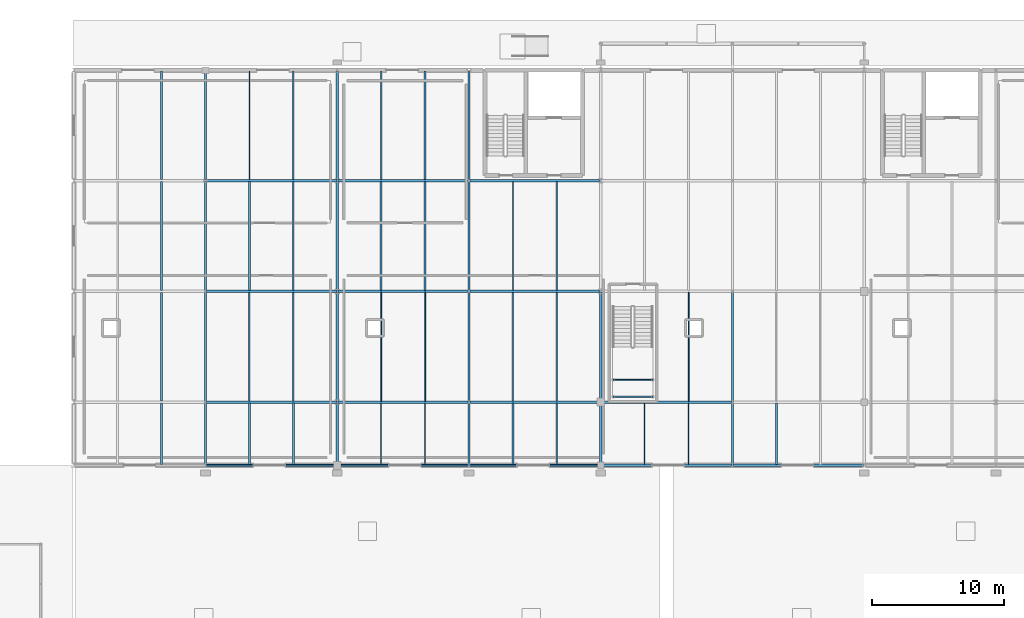
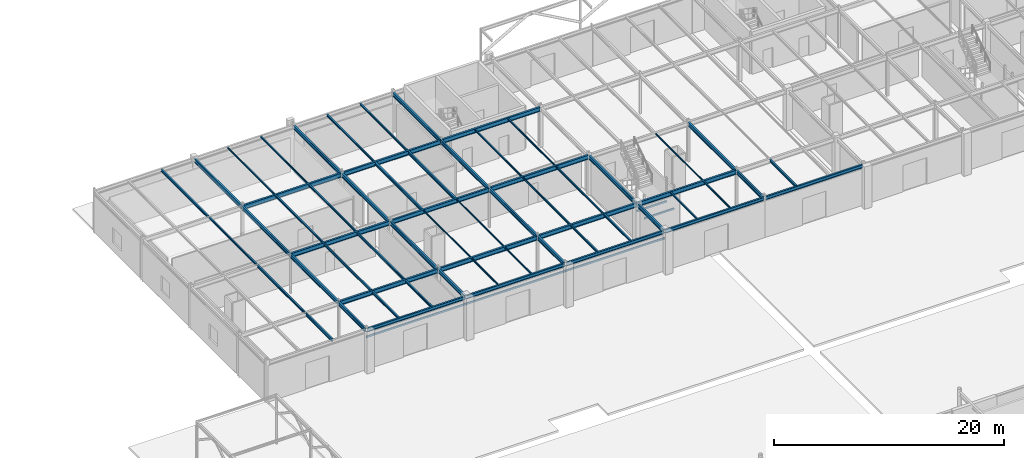
# One storey, part 62 of 119: 66 beams.
"""IFC4 building model written with IfcOpenShell, lengths in metres."""

from ifc_helpers import new_model, si_unit, derived_unit, direction, frame, origin, origin_2d_with_axis, place, context, subcontext, project, spatial, hollow_rectangle, i_section, extrude, material, material_profile, profile_set, type_object, element, save


model = new_model("IFC4")

# Units and contexts
model_context = context("Model", 3, precision=1e-05, world=origin(), true_north=direction((0.0, 1.0)))
body_context = subcontext(model_context, "Body", "Model", "MODEL_VIEW")
ifc_project = project(units=[si_unit("LENGTHUNIT", "METRE"), si_unit("AREAUNIT", "SQUARE_METRE"), si_unit("VOLUMEUNIT", "CUBIC_METRE"), si_unit("PLANEANGLEUNIT", "RADIAN"), si_unit("MASSUNIT", "GRAM", prefix="KILO"), derived_unit("THERMALTRANSMITTANCEUNIT", [(si_unit("POWERUNIT", "WATT"), 1), (si_unit("LENGTHUNIT", "METRE"), -2), (si_unit("THERMODYNAMICTEMPERATUREUNIT", "KELVIN"), -1)])], contexts=[model_context])

# Site, building, storey
site_placement = place(None, origin())
site = spatial("IfcSite", under=ifc_project, at=site_placement, CompositionType="ELEMENT")
building_placement = place(site_placement, origin())
building = spatial("IfcBuilding", under=site, at=building_placement, Name="Cinnabar Yard Market Hall", CompositionType="ELEMENT")
storey_placement = place(building_placement, origin())
storey = spatial("IfcBuildingStorey", under=building, at=storey_placement, Name="L00", CompositionType="ELEMENT", Elevation=0.0)

# Beams
ifc_material_1 = material(Name="Steel Grade 300 (300 MPa)", Category="steel")
ifc_material_profile_1 = material_profile(ifc_material_1, i_section(OverallWidth=0.18994140625, OverallDepth=0.453857421875, WebThickness=0.008544921875, FlangeThickness=0.0126953125, FilletRadius=0.011474609375, at=origin_2d_with_axis()), Name="460UB67.1")
ifc_profile_set_1 = profile_set([ifc_material_profile_1], Name="Steel Grade 300 (300 MPa)")
beam_type_1 = type_object("IfcBeamType", Name="BM-B05", PredefinedType="BEAM", material=ifc_profile_set_1)
for number, where, z_axis, x_axis, name in (
    (1, (76.06005859375, 112.800048828125, 4.01318359375), (1.0, 0.0, 0.0), (0.0, 1.0, 0.0), "V3 L00 Girder X 00865"),
    (2, (76.06005859375, 121.199951171875, 4.01318359375), (1.0, 0.0, 0.0), (0.0, 1.0, 0.0), "V3 L00 Girder X 00866"),
    (3, (76.06005859375, 129.60009765625, 4.01318359375), (1.0, 0.0, 0.0), (0.0, 1.0, 0.0), "V3 L00 Girder X 00867"),
    (4, (86.06005859375, 112.800048828125, 4.01318359375), (1.0, 0.0, 0.0), (0.0, 1.0, 0.0), "V3 L00 Girder X 00870"),
    (5, (86.06005859375, 121.199951171875, 4.01318359375), (1.0, 0.0, 0.0), (0.0, 1.0, 0.0), "V3 L00 Girder X 00871"),
    (6, (86.06005859375, 129.60009765625, 4.01318359375), (1.0, 0.0, 0.0), (0.0, 1.0, 0.0), "V3 L00 Girder X 00872"),
    (7, (96.06005859375, 112.800048828125, 4.01318359375), (1.0, 0.0, 0.0), (0.0, 1.0, 0.0), "V3 L00 Girder X 00875"),
    (8, (96.06005859375, 121.199951171875, 4.01318359375), (1.0, 0.0, 0.0), (0.0, 1.0, 0.0), "V3 L00 Girder X 00876"),
    (9, (96.06005859375, 129.60009765625, 4.01318359375), (1.0, 0.0, 0.0), (0.0, 1.0, 0.0), "V3 L00 Girder X 00877"),
    (10, (106.06005859375, 112.800048828125, 4.01318359375), (1.0, 0.0, 0.0), (0.0, 1.0, 0.0), "V3 L00 Girder X 00880"),
):
    element("IfcBeam", number, at=place(storey_placement, frame(where, z_axis=z_axis, x_axis=x_axis)), inside=storey, type_object=beam_type_1, Name=name, PredefinedType="BEAM", context=body_context, shape_type="SweptSolid", body=[
        extrude(i_section(OverallWidth=0.18994140625, OverallDepth=0.453857421875, WebThickness=0.008544921875, FlangeThickness=0.0126953125, FilletRadius=0.011474609375, at=origin_2d_with_axis()), origin(), (0.0, 0.0, 1.0), 9.8798828125),
    ])
ifc_material_profile_2 = material_profile(ifc_material_1, i_section(OverallWidth=0.177978515625, OverallDepth=0.406494140625, WebThickness=0.0078125, FlangeThickness=0.0126953125, FilletRadius=0.011474609375, at=origin_2d_with_axis()), Name="410UB59.7")
ifc_profile_set_2 = profile_set([ifc_material_profile_2], Name="Steel Grade 300 (300 MPa)")
beam_type_2 = type_object("IfcBeamType", Name="BM-B06", PredefinedType="BEAM", material=ifc_profile_set_2)
beam_1_placement = place(storey_placement, frame((76.0, 108.06005859375, 4.036865234375), z_axis=(0.0, 1.0, 0.0), x_axis=(-1.0, 0.0, 0.0)))
element("IfcBeam", 11, at=beam_1_placement, inside=storey, type_object=beam_type_2, Name="V3 L00 Girder Y 00913", PredefinedType="BEAM", context=body_context, shape_type="SweptSolid", body=[
    extrude(i_section(OverallWidth=0.177978515625, OverallDepth=0.406494140625, WebThickness=0.0078125, FlangeThickness=0.0126953125, FilletRadius=0.011474609375, at=origin_2d_with_axis()), origin(), (0.0, 0.0, 1.0), 4.679931640625),
])
beam_2_placement = place(storey_placement, frame((76.0, 112.860107421875, 4.036865234375), z_axis=(0.0, 1.0, 0.0), x_axis=(-1.0, 0.0, 0.0)))
element("IfcBeam", 12, at=beam_2_placement, inside=storey, type_object=beam_type_2, Name="V3 L00 Girder Y 00914", PredefinedType="BEAM", context=body_context, shape_type="SweptSolid", body=[
    extrude(i_section(OverallWidth=0.177978515625, OverallDepth=0.406494140625, WebThickness=0.0078125, FlangeThickness=0.0126953125, FilletRadius=0.011474609375, at=origin_2d_with_axis()), origin(), (0.0, 0.0, 1.0), 8.27978515625),
])
for number, where, z_axis, x_axis, name in (
    (13, (76.0, 121.260009765625, 4.036865234375), (0.0, 1.0, 0.0), (-1.0, 0.0, 0.0), "V3 L00 Girder Y 00915"),
    (14, (76.0, 129.659912109375, 4.036865234375), (0.0, 1.0, 0.0), (-1.0, 0.0, 0.0), "V3 L00 Girder Y 00916"),
):
    element("IfcBeam", number, at=place(storey_placement, frame(where, z_axis=z_axis, x_axis=x_axis)), inside=storey, type_object=beam_type_2, Name=name, PredefinedType="BEAM", context=body_context, shape_type="SweptSolid", body=[
        extrude(i_section(OverallWidth=0.177978515625, OverallDepth=0.406494140625, WebThickness=0.0078125, FlangeThickness=0.0126953125, FilletRadius=0.011474609375, at=origin_2d_with_axis()), origin(), (0.0, 0.0, 1.0), 8.280029296875),
    ])
beam_3_placement = place(storey_placement, frame((86.0, 108.06005859375, 4.036865234375), z_axis=(0.0, 1.0, 0.0), x_axis=(-1.0, 0.0, 0.0)))
element("IfcBeam", 15, at=beam_3_placement, inside=storey, type_object=beam_type_2, Name="V3 L00 Girder Y 00917", PredefinedType="BEAM", context=body_context, shape_type="SweptSolid", body=[
    extrude(i_section(OverallWidth=0.177978515625, OverallDepth=0.406494140625, WebThickness=0.0078125, FlangeThickness=0.0126953125, FilletRadius=0.011474609375, at=origin_2d_with_axis()), origin(), (0.0, 0.0, 1.0), 4.679931640625),
])
beam_4_placement = place(storey_placement, frame((86.0, 112.860107421875, 4.036865234375), z_axis=(0.0, 1.0, 0.0), x_axis=(-1.0, 0.0, 0.0)))
element("IfcBeam", 16, at=beam_4_placement, inside=storey, type_object=beam_type_2, Name="V3 L00 Girder Y 00918", PredefinedType="BEAM", context=body_context, shape_type="SweptSolid", body=[
    extrude(i_section(OverallWidth=0.177978515625, OverallDepth=0.406494140625, WebThickness=0.0078125, FlangeThickness=0.0126953125, FilletRadius=0.011474609375, at=origin_2d_with_axis()), origin(), (0.0, 0.0, 1.0), 8.27978515625),
])
for number, where, z_axis, x_axis, name in (
    (17, (86.0, 121.260009765625, 4.036865234375), (0.0, 1.0, 0.0), (-1.0, 0.0, 0.0), "V3 L00 Girder Y 00919"),
    (18, (86.0, 129.659912109375, 4.036865234375), (0.0, 1.0, 0.0), (-1.0, 0.0, 0.0), "V3 L00 Girder Y 00920"),
):
    element("IfcBeam", number, at=place(storey_placement, frame(where, z_axis=z_axis, x_axis=x_axis)), inside=storey, type_object=beam_type_2, Name=name, PredefinedType="BEAM", context=body_context, shape_type="SweptSolid", body=[
        extrude(i_section(OverallWidth=0.177978515625, OverallDepth=0.406494140625, WebThickness=0.0078125, FlangeThickness=0.0126953125, FilletRadius=0.011474609375, at=origin_2d_with_axis()), origin(), (0.0, 0.0, 1.0), 8.280029296875),
    ])
beam_5_placement = place(storey_placement, frame((96.0, 108.06005859375, 4.036865234375), z_axis=(0.0, 1.0, 0.0), x_axis=(-1.0, 0.0, 0.0)))
element("IfcBeam", 19, at=beam_5_placement, inside=storey, type_object=beam_type_2, Name="V3 L00 Girder Y 00921", PredefinedType="BEAM", context=body_context, shape_type="SweptSolid", body=[
    extrude(i_section(OverallWidth=0.177978515625, OverallDepth=0.406494140625, WebThickness=0.0078125, FlangeThickness=0.0126953125, FilletRadius=0.011474609375, at=origin_2d_with_axis()), origin(), (0.0, 0.0, 1.0), 4.679931640625),
])
beam_6_placement = place(storey_placement, frame((96.0, 112.860107421875, 4.036865234375), z_axis=(0.0, 1.0, 0.0), x_axis=(-1.0, 0.0, 0.0)))
element("IfcBeam", 20, at=beam_6_placement, inside=storey, type_object=beam_type_2, Name="V3 L00 Girder Y 00922", PredefinedType="BEAM", context=body_context, shape_type="SweptSolid", body=[
    extrude(i_section(OverallWidth=0.177978515625, OverallDepth=0.406494140625, WebThickness=0.0078125, FlangeThickness=0.0126953125, FilletRadius=0.011474609375, at=origin_2d_with_axis()), origin(), (0.0, 0.0, 1.0), 8.27978515625),
])
for number, where, z_axis, x_axis, name in (
    (21, (96.0, 121.260009765625, 4.036865234375), (0.0, 1.0, 0.0), (-1.0, 0.0, 0.0), "V3 L00 Girder Y 00923"),
    (22, (96.0, 129.659912109375, 4.036865234375), (0.0, 1.0, 0.0), (-1.0, 0.0, 0.0), "V3 L00 Girder Y 00924"),
):
    element("IfcBeam", number, at=place(storey_placement, frame(where, z_axis=z_axis, x_axis=x_axis)), inside=storey, type_object=beam_type_2, Name=name, PredefinedType="BEAM", context=body_context, shape_type="SweptSolid", body=[
        extrude(i_section(OverallWidth=0.177978515625, OverallDepth=0.406494140625, WebThickness=0.0078125, FlangeThickness=0.0126953125, FilletRadius=0.011474609375, at=origin_2d_with_axis()), origin(), (0.0, 0.0, 1.0), 8.280029296875),
    ])
beam_7_placement = place(storey_placement, frame((106.0, 108.06005859375, 4.036865234375), z_axis=(0.0, 1.0, 0.0), x_axis=(-1.0, 0.0, 0.0)))
element("IfcBeam", 23, at=beam_7_placement, inside=storey, type_object=beam_type_2, Name="V3 L00 Girder Y 00925", PredefinedType="BEAM", context=body_context, shape_type="SweptSolid", body=[
    extrude(i_section(OverallWidth=0.177978515625, OverallDepth=0.406494140625, WebThickness=0.0078125, FlangeThickness=0.0126953125, FilletRadius=0.011474609375, at=origin_2d_with_axis()), origin(), (0.0, 0.0, 1.0), 4.679931640625),
])
beam_8_placement = place(storey_placement, frame((106.0, 112.860107421875, 4.036865234375), z_axis=(0.0, 1.0, 0.0), x_axis=(-1.0, 0.0, 0.0)))
element("IfcBeam", 24, at=beam_8_placement, inside=storey, type_object=beam_type_2, Name="V3 L00 Girder Y 00926", PredefinedType="BEAM", context=body_context, shape_type="SweptSolid", body=[
    extrude(i_section(OverallWidth=0.177978515625, OverallDepth=0.406494140625, WebThickness=0.0078125, FlangeThickness=0.0126953125, FilletRadius=0.011474609375, at=origin_2d_with_axis()), origin(), (0.0, 0.0, 1.0), 8.27978515625),
])
beam_9_placement = place(storey_placement, frame((116.0, 108.06005859375, 4.036865234375), z_axis=(0.0, 1.0, 0.0), x_axis=(-1.0, 0.0, 0.0)))
element("IfcBeam", 25, at=beam_9_placement, inside=storey, type_object=beam_type_2, Name="V3 L00 Girder Y 00929", PredefinedType="BEAM", context=body_context, shape_type="SweptSolid", body=[
    extrude(i_section(OverallWidth=0.177978515625, OverallDepth=0.406494140625, WebThickness=0.0078125, FlangeThickness=0.0126953125, FilletRadius=0.011474609375, at=origin_2d_with_axis()), origin(), (0.0, 0.0, 1.0), 4.679931640625),
])
beam_10_placement = place(storey_placement, frame((116.0, 112.860107421875, 4.036865234375), z_axis=(0.0, 1.0, 0.0), x_axis=(-1.0, 0.0, 0.0)))
element("IfcBeam", 26, at=beam_10_placement, inside=storey, type_object=beam_type_2, Name="V3 L00 Girder Y 00930", PredefinedType="BEAM", context=body_context, shape_type="SweptSolid", body=[
    extrude(i_section(OverallWidth=0.177978515625, OverallDepth=0.406494140625, WebThickness=0.0078125, FlangeThickness=0.0126953125, FilletRadius=0.011474609375, at=origin_2d_with_axis()), origin(), (0.0, 0.0, 1.0), 8.27978515625),
])
ifc_material_profile_3 = material_profile(ifc_material_1, i_section(OverallWidth=0.14892578125, OverallDepth=0.298095703125, WebThickness=0.005615234375, FlangeThickness=0.008056640625, FilletRadius=0.0087890625, at=origin_2d_with_axis()), Name="310UB32.0")
ifc_profile_set_3 = profile_set([ifc_material_profile_3], Name="Steel Grade 300 (300 MPa)")
beam_type_3 = type_object("IfcBeamType", Name="BM-J02", PredefinedType="JOIST", material=ifc_profile_set_3)
beam_11_placement = place(storey_placement, frame((72.666748046875, 108.074951171875, 4.091064453125), z_axis=(0.0, 1.0, 0.0), x_axis=(-1.0, 0.0, 0.0)))
element("IfcBeam", 27, at=beam_11_placement, inside=storey, type_object=beam_type_3, Name="V3 L00 Joist 00957", PredefinedType="JOIST", context=body_context, shape_type="SweptSolid", body=[
    extrude(i_section(OverallWidth=0.14892578125, OverallDepth=0.298095703125, WebThickness=0.005615234375, FlangeThickness=0.008056640625, FilletRadius=0.0087890625, at=origin_2d_with_axis()), origin(), (0.0, 0.0, 1.0), 4.650146484375),
])
ifc_material_profile_4 = material_profile(ifc_material_1, i_section(OverallWidth=0.14599609375, OverallDepth=0.256103515625, WebThickness=0.00634765625, FlangeThickness=0.010986328125, FilletRadius=0.0087890625, at=origin_2d_with_axis()), Name="250UB37.3")
ifc_profile_set_4 = profile_set([ifc_material_profile_4], Name="Steel Grade 300 (300 MPa)")
beam_type_4 = type_object("IfcBeamType", Name="BM-J03", PredefinedType="JOIST", material=ifc_profile_set_4)
beam_12_placement = place(storey_placement, frame((72.666748046875, 112.875, 4.11181640625), z_axis=(0.0, 1.0, 0.0), x_axis=(-1.0, 0.0, 0.0)))
element("IfcBeam", 28, at=beam_12_placement, inside=storey, type_object=beam_type_4, Name="V3 L00 Joist 00958", PredefinedType="JOIST", context=body_context, shape_type="SweptSolid", body=[
    extrude(i_section(OverallWidth=0.14599609375, OverallDepth=0.256103515625, WebThickness=0.00634765625, FlangeThickness=0.010986328125, FilletRadius=0.0087890625, at=origin_2d_with_axis()), origin(), (0.0, 0.0, 1.0), 8.25),
])
ifc_material_profile_5 = material_profile(ifc_material_1, i_section(OverallWidth=0.134033203125, OverallDepth=0.20703125, WebThickness=0.00634765625, FlangeThickness=0.009521484375, FilletRadius=0.0087890625, at=origin_2d_with_axis()), Name="200UB29.8")
ifc_profile_set_5 = profile_set([ifc_material_profile_5], Name="Steel Grade 300 (300 MPa)")
beam_type_5 = type_object("IfcBeamType", Name="BM-J04", PredefinedType="JOIST", material=ifc_profile_set_5)
beam_13_placement = place(storey_placement, frame((72.666748046875, 121.27490234375, 4.136474609375), z_axis=(0.0, 1.0, 0.0), x_axis=(-1.0, 0.0, 0.0)))
element("IfcBeam", 29, at=beam_13_placement, inside=storey, type_object=beam_type_5, Name="V3 L00 Joist 00959", PredefinedType="JOIST", context=body_context, shape_type="SweptSolid", body=[
    extrude(i_section(OverallWidth=0.134033203125, OverallDepth=0.20703125, WebThickness=0.00634765625, FlangeThickness=0.009521484375, FilletRadius=0.0087890625, at=origin_2d_with_axis()), origin(), (0.0, 0.0, 1.0), 8.25),
])
ifc_material_profile_6 = material_profile(ifc_material_1, i_section(OverallWidth=0.14599609375, OverallDepth=0.251708984375, WebThickness=0.006103515625, FlangeThickness=0.008544921875, FilletRadius=0.0087890625, at=origin_2d_with_axis()), Name="250UB31.4")
ifc_profile_set_6 = profile_set([ifc_material_profile_6], Name="Steel Grade 300 (300 MPa)")
beam_type_6 = type_object("IfcBeamType", Name="BM-J05", PredefinedType="JOIST", material=ifc_profile_set_6)
beam_14_placement = place(storey_placement, frame((72.666748046875, 129.675048828125, 4.1142578125), z_axis=(0.0, 1.0, 0.0), x_axis=(-1.0, 0.0, 0.0)))
element("IfcBeam", 30, at=beam_14_placement, inside=storey, type_object=beam_type_6, Name="V3 L00 Joist 00960", PredefinedType="JOIST", context=body_context, shape_type="SweptSolid", body=[
    extrude(i_section(OverallWidth=0.14599609375, OverallDepth=0.251708984375, WebThickness=0.006103515625, FlangeThickness=0.008544921875, FilletRadius=0.0087890625, at=origin_2d_with_axis()), origin(), (0.0, 0.0, 1.0), 8.25),
])
for number, where, z_axis, x_axis, name in (
    (31, (79.333251953125, 108.074951171875, 4.1142578125), (0.0, 1.0, 0.0), (-1.0, 0.0, 0.0), "V3 L00 Joist 00961"),
    (32, (82.666748046875, 108.074951171875, 4.1142578125), (0.0, 1.0, 0.0), (-1.0, 0.0, 0.0), "V3 L00 Joist 00965"),
):
    element("IfcBeam", number, at=place(storey_placement, frame(where, z_axis=z_axis, x_axis=x_axis)), inside=storey, type_object=beam_type_6, Name=name, PredefinedType="JOIST", context=body_context, shape_type="SweptSolid", body=[
        extrude(i_section(OverallWidth=0.14599609375, OverallDepth=0.251708984375, WebThickness=0.006103515625, FlangeThickness=0.008544921875, FilletRadius=0.0087890625, at=origin_2d_with_axis()), origin(), (0.0, 0.0, 1.0), 4.650146484375),
    ])
ifc_material_profile_7 = material_profile(ifc_material_1, i_section(OverallWidth=0.1240234375, OverallDepth=0.248291015625, WebThickness=0.0048828125, FlangeThickness=0.008056640625, FilletRadius=0.0087890625, at=origin_2d_with_axis()), Name="250UB25.7")
ifc_profile_set_7 = profile_set([ifc_material_profile_7], Name="Steel Grade 300 (300 MPa)")
beam_type_7 = type_object("IfcBeamType", Name="BM-J06", PredefinedType="JOIST", material=ifc_profile_set_7)
for number, where, z_axis, x_axis, name in (
    (33, (79.333251953125, 112.875, 4.11572265625), (0.0, 1.0, 0.0), (-1.0, 0.0, 0.0), "V3 L00 Joist 00962"),
    (34, (82.666748046875, 112.875, 4.11572265625), (0.0, 1.0, 0.0), (-1.0, 0.0, 0.0), "V3 L00 Joist 00966"),
):
    element("IfcBeam", number, at=place(storey_placement, frame(where, z_axis=z_axis, x_axis=x_axis)), inside=storey, type_object=beam_type_7, Name=name, PredefinedType="JOIST", context=body_context, shape_type="SweptSolid", body=[
        extrude(i_section(OverallWidth=0.1240234375, OverallDepth=0.248291015625, WebThickness=0.0048828125, FlangeThickness=0.008056640625, FilletRadius=0.0087890625, at=origin_2d_with_axis()), origin(), (0.0, 0.0, 1.0), 8.25),
    ])
ifc_material_profile_8 = material_profile(ifc_material_1, i_section(OverallWidth=0.133056640625, OverallDepth=0.203125, WebThickness=0.005859375, FlangeThickness=0.0078125, FilletRadius=0.0087890625, at=origin_2d_with_axis()), Name="200UB25.4")
ifc_profile_set_8 = profile_set([ifc_material_profile_8], Name="Steel Grade 300 (300 MPa)")
beam_type_8 = type_object("IfcBeamType", Name="BM-J07", PredefinedType="JOIST", material=ifc_profile_set_8)
for number, where, z_axis, x_axis, name in (
    (35, (79.333251953125, 121.27490234375, 4.138427734375), (0.0, 1.0, 0.0), (-1.0, 0.0, 0.0), "V3 L00 Joist 00963"),
    (36, (82.666748046875, 121.27490234375, 4.138427734375), (0.0, 1.0, 0.0), (-1.0, 0.0, 0.0), "V3 L00 Joist 00967"),
):
    element("IfcBeam", number, at=place(storey_placement, frame(where, z_axis=z_axis, x_axis=x_axis)), inside=storey, type_object=beam_type_8, Name=name, PredefinedType="JOIST", context=body_context, shape_type="SweptSolid", body=[
        extrude(i_section(OverallWidth=0.133056640625, OverallDepth=0.203125, WebThickness=0.005859375, FlangeThickness=0.0078125, FilletRadius=0.0087890625, at=origin_2d_with_axis()), origin(), (0.0, 0.0, 1.0), 8.25),
    ])
ifc_material_profile_9 = material_profile(ifc_material_1, i_section(OverallWidth=0.090087890625, OverallDepth=0.178955078125, WebThickness=0.006103515625, FlangeThickness=0.009521484375, FilletRadius=0.0087890625, at=origin_2d_with_axis()), Name="180UB22.2")
ifc_profile_set_9 = profile_set([ifc_material_profile_9], Name="Steel Grade 300 (300 MPa)")
beam_type_9 = type_object("IfcBeamType", Name="BM-J08", PredefinedType="JOIST", material=ifc_profile_set_9)
for number, where, z_axis, x_axis, name in (
    (37, (79.333251953125, 129.675048828125, 4.150390625), (0.0, 1.0, 0.0), (-1.0, 0.0, 0.0), "V3 L00 Joist 00964"),
    (38, (82.666748046875, 129.675048828125, 4.150390625), (0.0, 1.0, 0.0), (-1.0, 0.0, 0.0), "V3 L00 Joist 00968"),
):
    element("IfcBeam", number, at=place(storey_placement, frame(where, z_axis=z_axis, x_axis=x_axis)), inside=storey, type_object=beam_type_9, Name=name, PredefinedType="JOIST", context=body_context, shape_type="SweptSolid", body=[
        extrude(i_section(OverallWidth=0.090087890625, OverallDepth=0.178955078125, WebThickness=0.006103515625, FlangeThickness=0.009521484375, FilletRadius=0.0087890625, at=origin_2d_with_axis()), origin(), (0.0, 0.0, 1.0), 8.25),
    ])
for number, where, z_axis, x_axis, name in (
    (39, (89.333251953125, 108.074951171875, 4.150390625), (0.0, 1.0, 0.0), (-1.0, 0.0, 0.0), "V3 L00 Joist 00969"),
    (40, (92.666748046875, 108.074951171875, 4.150390625), (0.0, 1.0, 0.0), (-1.0, 0.0, 0.0), "V3 L00 Joist 00973"),
):
    element("IfcBeam", number, at=place(storey_placement, frame(where, z_axis=z_axis, x_axis=x_axis)), inside=storey, type_object=beam_type_9, Name=name, PredefinedType="JOIST", context=body_context, shape_type="SweptSolid", body=[
        extrude(i_section(OverallWidth=0.090087890625, OverallDepth=0.178955078125, WebThickness=0.006103515625, FlangeThickness=0.009521484375, FilletRadius=0.0087890625, at=origin_2d_with_axis()), origin(), (0.0, 0.0, 1.0), 4.650146484375),
    ])
ifc_material_profile_10 = material_profile(ifc_material_1, i_section(OverallWidth=0.074951171875, OverallDepth=0.155029296875, WebThickness=0.006103515625, FlangeThickness=0.009521484375, FilletRadius=0.008056640625, at=origin_2d_with_axis()), Name="150UB18.0")
ifc_profile_set_10 = profile_set([ifc_material_profile_10], Name="Steel Grade 300 (300 MPa)")
beam_type_10 = type_object("IfcBeamType", Name="BM-J09", PredefinedType="JOIST", material=ifc_profile_set_10)
for number, where, z_axis, x_axis, name in (
    (41, (89.333251953125, 112.875, 4.16259765625), (0.0, 1.0, 0.0), (-1.0, 0.0, 0.0), "V3 L00 Joist 00970"),
    (42, (92.666748046875, 112.875, 4.16259765625), (0.0, 1.0, 0.0), (-1.0, 0.0, 0.0), "V3 L00 Joist 00974"),
):
    element("IfcBeam", number, at=place(storey_placement, frame(where, z_axis=z_axis, x_axis=x_axis)), inside=storey, type_object=beam_type_10, Name=name, PredefinedType="JOIST", context=body_context, shape_type="SweptSolid", body=[
        extrude(i_section(OverallWidth=0.074951171875, OverallDepth=0.155029296875, WebThickness=0.006103515625, FlangeThickness=0.009521484375, FilletRadius=0.008056640625, at=origin_2d_with_axis()), origin(), (0.0, 0.0, 1.0), 8.25),
    ])
ifc_material_profile_11 = material_profile(ifc_material_1, i_section(OverallWidth=0.1650390625, OverallDepth=0.303955078125, WebThickness=0.006103515625, FlangeThickness=0.01025390625, FilletRadius=0.011474609375, at=origin_2d_with_axis()), Name="310UB40.4")
ifc_profile_set_11 = profile_set([ifc_material_profile_11], Name="Steel Grade 300 (300 MPa)")
beam_type_11 = type_object("IfcBeamType", Name="BM-J10", PredefinedType="JOIST", material=ifc_profile_set_11)
for number, where, z_axis, x_axis, name in (
    (43, (89.333251953125, 121.27490234375, 4.087890625), (0.0, 1.0, 0.0), (-1.0, 0.0, 0.0), "V3 L00 Joist 00971"),
    (44, (92.666748046875, 121.27490234375, 4.087890625), (0.0, 1.0, 0.0), (-1.0, 0.0, 0.0), "V3 L00 Joist 00975"),
):
    element("IfcBeam", number, at=place(storey_placement, frame(where, z_axis=z_axis, x_axis=x_axis)), inside=storey, type_object=beam_type_11, Name=name, PredefinedType="JOIST", context=body_context, shape_type="SweptSolid", body=[
        extrude(i_section(OverallWidth=0.1650390625, OverallDepth=0.303955078125, WebThickness=0.006103515625, FlangeThickness=0.01025390625, FilletRadius=0.011474609375, at=origin_2d_with_axis()), origin(), (0.0, 0.0, 1.0), 8.25),
    ])
ifc_material_profile_12 = material_profile(ifc_material_1, i_section(OverallWidth=0.133056640625, OverallDepth=0.20166015625, WebThickness=0.0048828125, FlangeThickness=0.0078125, FilletRadius=0.0087890625, at=origin_2d_with_axis()), Name="200UB22.3")
ifc_profile_set_12 = profile_set([ifc_material_profile_12], Name="Steel Grade 300 (300 MPa)")
beam_type_12 = type_object("IfcBeamType", Name="BM-J11", PredefinedType="JOIST", material=ifc_profile_set_12)
for number, where, z_axis, x_axis, name in (
    (45, (89.333251953125, 129.675048828125, 4.13916015625), (0.0, 1.0, 0.0), (-1.0, 0.0, 0.0), "V3 L00 Joist 00972"),
    (46, (92.666748046875, 129.675048828125, 4.13916015625), (0.0, 1.0, 0.0), (-1.0, 0.0, 0.0), "V3 L00 Joist 00976"),
):
    element("IfcBeam", number, at=place(storey_placement, frame(where, z_axis=z_axis, x_axis=x_axis)), inside=storey, type_object=beam_type_12, Name=name, PredefinedType="JOIST", context=body_context, shape_type="SweptSolid", body=[
        extrude(i_section(OverallWidth=0.133056640625, OverallDepth=0.20166015625, WebThickness=0.0048828125, FlangeThickness=0.0078125, FilletRadius=0.0087890625, at=origin_2d_with_axis()), origin(), (0.0, 0.0, 1.0), 8.25),
    ])
for number, where, z_axis, x_axis, name in (
    (47, (99.333251953125, 108.074951171875, 4.13916015625), (0.0, 1.0, 0.0), (-1.0, 0.0, 0.0), "V3 L00 Joist 00977"),
    (48, (102.666748046875, 108.074951171875, 4.13916015625), (0.0, 1.0, 0.0), (-1.0, 0.0, 0.0), "V3 L00 Joist 00980"),
):
    element("IfcBeam", number, at=place(storey_placement, frame(where, z_axis=z_axis, x_axis=x_axis)), inside=storey, type_object=beam_type_12, Name=name, PredefinedType="JOIST", context=body_context, shape_type="SweptSolid", body=[
        extrude(i_section(OverallWidth=0.133056640625, OverallDepth=0.20166015625, WebThickness=0.0048828125, FlangeThickness=0.0078125, FilletRadius=0.0087890625, at=origin_2d_with_axis()), origin(), (0.0, 0.0, 1.0), 4.650146484375),
    ])
ifc_material_profile_13 = material_profile(ifc_material_1, i_section(OverallWidth=0.09912109375, OverallDepth=0.197998046875, WebThickness=0.00439453125, FlangeThickness=0.007080078125, FilletRadius=0.0087890625, at=origin_2d_with_axis()), Name="200UB18.2")
ifc_profile_set_13 = profile_set([ifc_material_profile_13], Name="Steel Grade 300 (300 MPa)")
beam_type_13 = type_object("IfcBeamType", Name="BM-J12", PredefinedType="JOIST", material=ifc_profile_set_13)
for number, where, z_axis, x_axis, name in (
    (49, (99.333251953125, 112.875, 4.14111328125), (0.0, 1.0, 0.0), (-1.0, 0.0, 0.0), "V3 L00 Joist 00978"),
    (50, (102.666748046875, 112.875, 4.14111328125), (0.0, 1.0, 0.0), (-1.0, 0.0, 0.0), "V3 L00 Joist 00981"),
):
    element("IfcBeam", number, at=place(storey_placement, frame(where, z_axis=z_axis, x_axis=x_axis)), inside=storey, type_object=beam_type_13, Name=name, PredefinedType="JOIST", context=body_context, shape_type="SweptSolid", body=[
        extrude(i_section(OverallWidth=0.09912109375, OverallDepth=0.197998046875, WebThickness=0.00439453125, FlangeThickness=0.007080078125, FilletRadius=0.0087890625, at=origin_2d_with_axis()), origin(), (0.0, 0.0, 1.0), 8.25),
    ])
ifc_material_profile_14 = material_profile(ifc_material_1, i_section(OverallWidth=0.090087890625, OverallDepth=0.175048828125, WebThickness=0.0048828125, FlangeThickness=0.008056640625, FilletRadius=0.0087890625, at=origin_2d_with_axis()), Name="180UB18.1")
ifc_profile_set_14 = profile_set([ifc_material_profile_14], Name="Steel Grade 300 (300 MPa)")
beam_type_14 = type_object("IfcBeamType", Name="BM-J13", PredefinedType="JOIST", material=ifc_profile_set_14)
for number, where, z_axis, x_axis, name in (
    (51, (99.333251953125, 121.27490234375, 4.152587890625), (0.0, 1.0, 0.0), (-1.0, 0.0, 0.0), "V3 L00 Joist 00979"),
    (52, (102.666748046875, 121.27490234375, 4.152587890625), (0.0, 1.0, 0.0), (-1.0, 0.0, 0.0), "V3 L00 Joist 00982"),
):
    element("IfcBeam", number, at=place(storey_placement, frame(where, z_axis=z_axis, x_axis=x_axis)), inside=storey, type_object=beam_type_14, Name=name, PredefinedType="JOIST", context=body_context, shape_type="SweptSolid", body=[
        extrude(i_section(OverallWidth=0.090087890625, OverallDepth=0.175048828125, WebThickness=0.0048828125, FlangeThickness=0.008056640625, FilletRadius=0.0087890625, at=origin_2d_with_axis()), origin(), (0.0, 0.0, 1.0), 8.25),
    ])
ifc_material_profile_15 = material_profile(ifc_material_1, i_section(OverallWidth=0.090087890625, OverallDepth=0.173095703125, WebThickness=0.00439453125, FlangeThickness=0.007080078125, FilletRadius=0.0087890625, at=origin_2d_with_axis()), Name="180UB16.1")
ifc_profile_set_15 = profile_set([ifc_material_profile_15], Name="Steel Grade 300 (300 MPa)")
beam_type_15 = type_object("IfcBeamType", Name="BM-J14", PredefinedType="JOIST", material=ifc_profile_set_15)
for number, where, z_axis, x_axis, name in (
    (53, (109.333251953125, 108.074951171875, 4.153564453125), (0.0, 1.0, 0.0), (-1.0, 0.0, 0.0), "V3 L00 Joist 00983"),
    (54, (112.666748046875, 108.074951171875, 4.153564453125), (0.0, 1.0, 0.0), (-1.0, 0.0, 0.0), "V3 L00 Joist 00986"),
):
    element("IfcBeam", number, at=place(storey_placement, frame(where, z_axis=z_axis, x_axis=x_axis)), inside=storey, type_object=beam_type_15, Name=name, PredefinedType="JOIST", context=body_context, shape_type="SweptSolid", body=[
        extrude(i_section(OverallWidth=0.090087890625, OverallDepth=0.173095703125, WebThickness=0.00439453125, FlangeThickness=0.007080078125, FilletRadius=0.0087890625, at=origin_2d_with_axis()), origin(), (0.0, 0.0, 1.0), 4.650146484375),
    ])
ifc_material_profile_16 = material_profile(ifc_material_1, i_section(OverallWidth=0.074951171875, OverallDepth=0.14990234375, WebThickness=0.0048828125, FlangeThickness=0.007080078125, FilletRadius=0.008056640625, at=origin_2d_with_axis()), Name="150UB14.0")
ifc_profile_set_16 = profile_set([ifc_material_profile_16], Name="Steel Grade 300 (300 MPa)")
beam_type_16 = type_object("IfcBeamType", Name="BM-J15", PredefinedType="JOIST", material=ifc_profile_set_16)
beam_15_placement = place(storey_placement, frame((112.666748046875, 112.875, 4.1650390625), z_axis=(0.0, 1.0, 0.0), x_axis=(-1.0, 0.0, 0.0)))
element("IfcBeam", 55, at=beam_15_placement, inside=storey, type_object=beam_type_16, Name="V3 L00 Joist 00987", PredefinedType="JOIST", context=body_context, shape_type="SweptSolid", body=[
    extrude(i_section(OverallWidth=0.074951171875, OverallDepth=0.14990234375, WebThickness=0.0048828125, FlangeThickness=0.007080078125, FilletRadius=0.008056640625, at=origin_2d_with_axis()), origin(), (0.0, 0.0, 1.0), 8.25),
])
ifc_material_profile_17 = material_profile(ifc_material_1, i_section(OverallWidth=0.14892578125, OverallDepth=0.298095703125, WebThickness=0.005615234375, FlangeThickness=0.008056640625, FilletRadius=0.0087890625, at=origin_2d_with_axis()), Name="310UB32.0")
ifc_profile_set_17 = profile_set([ifc_material_profile_17], Name="Steel Grade 300 (300 MPa)")
beam_type_17 = type_object("IfcBeamType", Name="BM-J17", PredefinedType="JOIST", material=ifc_profile_set_17)
beam_16_placement = place(storey_placement, frame((119.333251953125, 108.074951171875, 4.091064453125), z_axis=(0.0, 1.0, 0.0), x_axis=(-1.0, 0.0, 0.0)))
element("IfcBeam", 56, at=beam_16_placement, inside=storey, type_object=beam_type_17, Name="V3 L00 Joist 00990", PredefinedType="JOIST", context=body_context, shape_type="SweptSolid", body=[
    extrude(i_section(OverallWidth=0.14892578125, OverallDepth=0.298095703125, WebThickness=0.005615234375, FlangeThickness=0.008056640625, FilletRadius=0.0087890625, at=origin_2d_with_axis()), origin(), (0.0, 0.0, 1.0), 4.650146484375),
])
ifc_material_2 = material(Name="Cold-formed steel C350L0", Category="steel")
ifc_material_profile_18 = material_profile(ifc_material_2, hollow_rectangle(XDim=0.10009765625, YDim=0.199951171875, WallThickness=0.006103515625, InnerFilletRadius=0.006103515625, OuterFilletRadius=0.011962890625, at=origin_2d_with_axis()), Name="200x100x6.0RHS")
ifc_profile_set_18 = profile_set([ifc_material_profile_18], Name="Cold-formed steel C350L0")
beam_type_18 = type_object("IfcBeamType", Name="BM-LN01", PredefinedType="LINTEL", material=ifc_profile_set_18)
for number, where, z_axis, x_axis, name in (
    (57, (106.949951171875, 113.199951171875, 1.949951171875), (1.0, 0.0, 0.0), (0.0, 1.0, 0.0), "Feature Stair Landing Beam S ST-F4 L00"),
    (58, (106.949951171875, 114.5, 1.949951171875), (1.0, 0.0, 0.0), (0.0, 1.0, 0.0), "Feature Stair Landing Beam N ST-F4 L00"),
):
    element("IfcBeam", number, at=place(storey_placement, frame(where, z_axis=z_axis, x_axis=x_axis)), inside=storey, type_object=beam_type_18, Name=name, PredefinedType="LINTEL", context=body_context, shape_type="SweptSolid", body=[
        extrude(hollow_rectangle(XDim=0.10009765625, YDim=0.199951171875, WallThickness=0.006103515625, InnerFilletRadius=0.006103515625, OuterFilletRadius=0.011962890625, at=origin_2d_with_axis()), origin(), (0.0, 0.0, 1.0), 3.0),
    ])
ifc_material_profile_19 = material_profile(ifc_material_2, hollow_rectangle(XDim=0.10009765625, YDim=0.199951171875, WallThickness=0.006103515625, InnerFilletRadius=0.006103515625, OuterFilletRadius=0.011962890625, at=origin_2d_with_axis()), Name="200x100x6.0RHS")
ifc_profile_set_19 = profile_set([ifc_material_profile_19], Name="Cold-formed steel C350L0")
beam_type_19 = type_object("IfcBeamType", Name="BM-LN01E", PredefinedType="LINTEL", material=ifc_profile_set_19)
for number, where, z_axis, x_axis, name in (
    (59, (76.0, 108.0, 3.35009765625), (1.0, 0.0, 0.0), (0.0, 1.0, 0.0), "Portal Transom Lintel 2 01587"),
    (60, (86.0, 108.0, 3.35009765625), (1.0, 0.0, 0.0), (0.0, 1.0, 0.0), "Portal Transom Lintel 3 01588"),
    (61, (96.0, 108.0, 3.35009765625), (1.0, 0.0, 0.0), (0.0, 1.0, 0.0), "Portal Transom Lintel 4 01589"),
):
    element("IfcBeam", number, at=place(storey_placement, frame(where, z_axis=z_axis, x_axis=x_axis)), inside=storey, type_object=beam_type_19, Name=name, PredefinedType="LINTEL", context=body_context, shape_type="SweptSolid", body=[
        extrude(hollow_rectangle(XDim=0.10009765625, YDim=0.199951171875, WallThickness=0.006103515625, InnerFilletRadius=0.006103515625, OuterFilletRadius=0.011962890625, at=origin_2d_with_axis()), origin(), (0.0, 0.0, 1.0), 10.0),
    ])
ifc_material_profile_20 = material_profile(ifc_material_1, i_section(OverallWidth=0.172119140625, OverallDepth=0.358642578125, WebThickness=0.008056640625, FlangeThickness=0.012939453125, FilletRadius=0.011474609375, at=origin_2d_with_axis()), Name="360UB56.7")
ifc_profile_set_20 = profile_set([ifc_material_profile_20], Name="Steel Grade 300 (300 MPa)")
beam_type_20 = type_object("IfcBeamType", Name="BM-SP02E", PredefinedType="SPANDREL", material=ifc_profile_set_20)
for number, where, z_axis, x_axis, name in (
    (62, (76.06005859375, 108.0, 4.060791015625), (1.0, 0.0, 0.0), (0.0, 1.0, 0.0), "V3 L00 Girder X 00864"),
    (63, (86.06005859375, 108.0, 4.060791015625), (1.0, 0.0, 0.0), (0.0, 1.0, 0.0), "V3 L00 Girder X 00869"),
    (64, (96.06005859375, 108.0, 4.060791015625), (1.0, 0.0, 0.0), (0.0, 1.0, 0.0), "V3 L00 Girder X 00874"),
    (65, (106.06005859375, 108.0, 4.060791015625), (1.0, 0.0, 0.0), (0.0, 1.0, 0.0), "V3 L00 Girder X 00879"),
    (66, (116.06005859375, 108.0, 4.060791015625), (1.0, 0.0, 0.0), (0.0, 1.0, 0.0), "V3 L00 Girder X 00884"),
):
    element("IfcBeam", number, at=place(storey_placement, frame(where, z_axis=z_axis, x_axis=x_axis)), inside=storey, type_object=beam_type_20, Name=name, PredefinedType="SPANDREL", context=body_context, shape_type="SweptSolid", body=[
        extrude(i_section(OverallWidth=0.172119140625, OverallDepth=0.358642578125, WebThickness=0.008056640625, FlangeThickness=0.012939453125, FilletRadius=0.011474609375, at=origin_2d_with_axis()), origin(), (0.0, 0.0, 1.0), 9.8798828125),
    ])

save(model, "model.ifc")
